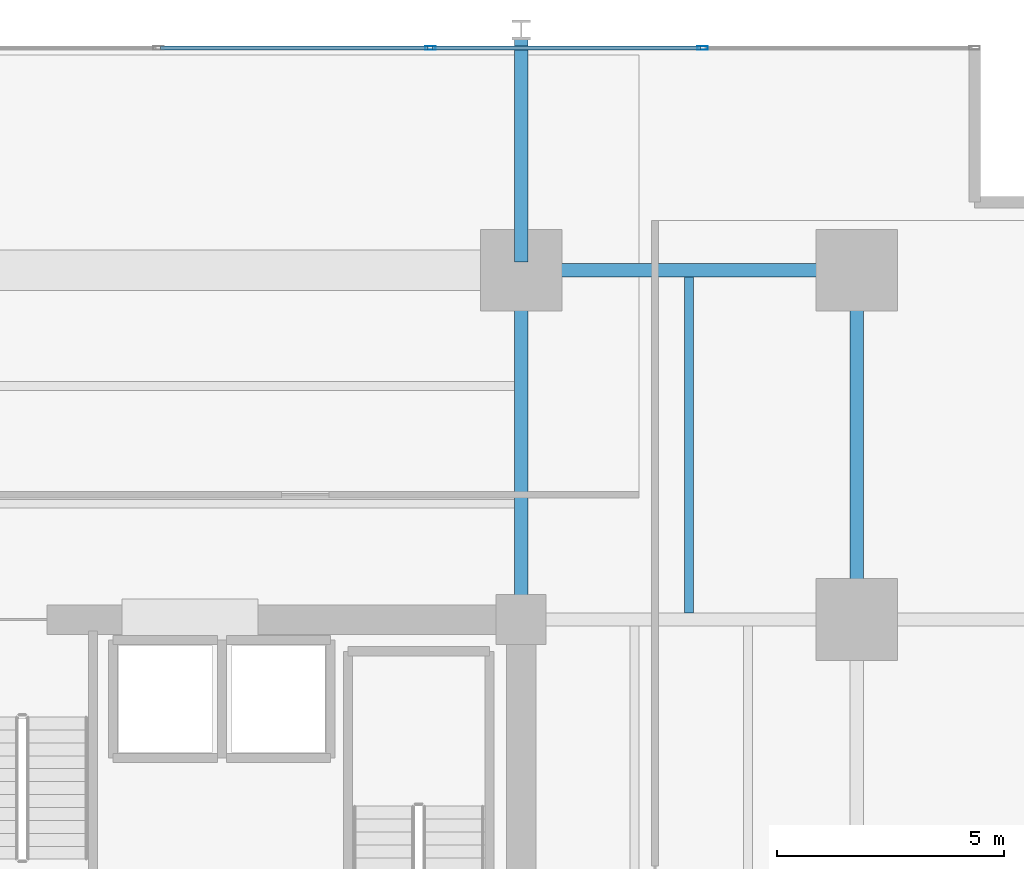
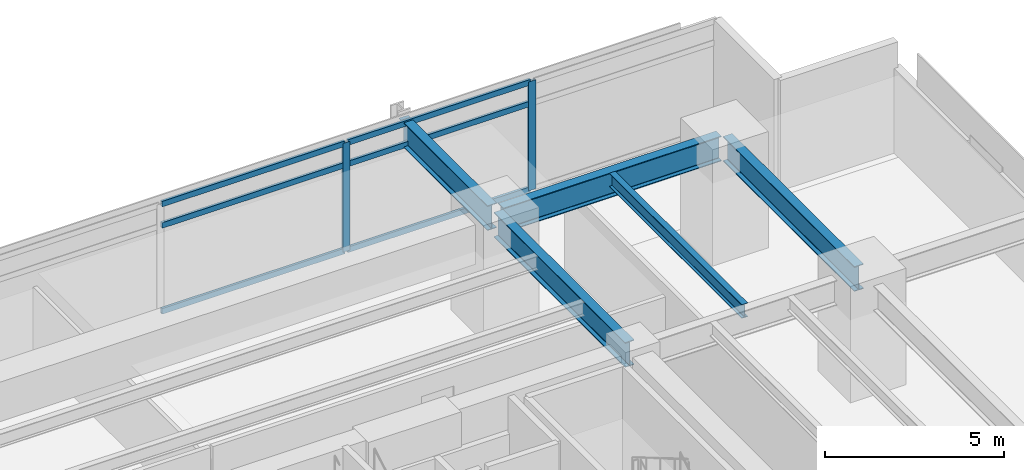
# One storey, part 11 of 21: 8 members, 5 beams, 1 element without a shape of its own.
"""IFC4 building model written with IfcOpenShell, lengths in metres."""

from ifc_helpers import new_model, si_unit, direction, frame, origin, origin_2d, place, context, subcontext, project, spatial, hollow_rectangle, i_section, extrude, material, material_profile, profile_set, type_object, element, aggregate, save


model = new_model("IFC4")

# Units and contexts
model_context = context("Model", 3, precision=1e-05, world=origin(), true_north=direction((0.0, 1.0)))
body_context = subcontext(model_context, "Body", "Model", "MODEL_VIEW")
ifc_project = project(units=[si_unit("LENGTHUNIT", "METRE"), si_unit("AREAUNIT", "SQUARE_METRE"), si_unit("VOLUMEUNIT", "CUBIC_METRE"), si_unit("PLANEANGLEUNIT", "RADIAN"), si_unit("MASSUNIT", "GRAM", prefix="KILO")], contexts=[model_context])

# Site, building, storey
site_placement = place(None, origin())
site = spatial("IfcSite", under=ifc_project, at=site_placement, CompositionType="ELEMENT")
building_placement = place(site_placement, origin())
building = spatial("IfcBuilding", under=site, at=building_placement, Name="Kovane Verandah Tower", CompositionType="ELEMENT")
storey_placement = place(building_placement, frame((0.0, 0.0, 27.60009765625)))
storey = spatial("IfcBuildingStorey", under=building, at=storey_placement, Name="L05", CompositionType="ELEMENT", Elevation=27.60009765625)

# Beams
ifc_material_1 = material(Name="Steel S355", Category="steel")
ifc_material_profile_1 = material_profile(ifc_material_1, i_section(OverallWidth=0.293701171875, OverallDepth=0.850830078125, WebThickness=0.01611328125, FlangeThickness=0.02685546875, FilletRadius=0.017822265625, at=origin_2d()), Name="UB838x292x226")
ifc_profile_set_1 = profile_set([ifc_material_profile_1], Name="Steel S355")
beam_type_1 = type_object("IfcBeamType", Name="BM-UB838x226", PredefinedType="BEAM", material=ifc_profile_set_1)
beam_1_placement = place(storey_placement, frame((51.179931640625, 44.199951171875, 3.33447265625), z_axis=(1.0, 0.0, 0.0), x_axis=(0.0, 1.0, 0.0)))
element("IfcBeam", 1, at=beam_1_placement, inside=storey, type_object=beam_type_1, Name="L05 Primary Tower Girder G-RN3", PredefinedType="BEAM", context=body_context, shape_type="SweptSolid", body=[
    extrude(i_section(OverallWidth=0.293701171875, OverallDepth=0.850830078125, WebThickness=0.01611328125, FlangeThickness=0.02685546875, FilletRadius=0.017822265625, at=origin_2d()), origin(), (0.0, 0.0, 1.0), 7.0400390625),
])
for number, where, z_axis, x_axis, name in (
    (2, (58.39990234375, 36.679931640625, 3.33447265625), (0.0, 1.0, 0.0), (-1.0, 0.0, 0.0), "L05 Primary Tower Girder G-RE3"),
    (3, (51.0, 36.679931640625, 3.33447265625), (0.0, 1.0, 0.0), (-1.0, 0.0, 0.0), "L05 Primary Tower Girder G-N2"),
):
    element("IfcBeam", number, at=place(storey_placement, frame(where, z_axis=z_axis, x_axis=x_axis)), inside=storey, type_object=beam_type_1, Name=name, PredefinedType="BEAM", context=body_context, shape_type="SweptSolid", body=[
        extrude(i_section(OverallWidth=0.293701171875, OverallDepth=0.850830078125, WebThickness=0.01611328125, FlangeThickness=0.02685546875, FilletRadius=0.017822265625, at=origin_2d()), origin(), (0.0, 0.0, 1.0), 7.340087890625),
    ])
beam_2_placement = place(storey_placement, frame((51.0, 44.3798828125, 3.33447265625), z_axis=(0.0, 1.0, 0.0), x_axis=(-1.0, 0.0, 0.0)))
element("IfcBeam", 4, at=beam_2_placement, inside=storey, type_object=beam_type_1, Name="L05 Primary Tower Girder G-VN2", PredefinedType="BEAM", context=body_context, shape_type="SweptSolid", body=[
    extrude(i_section(OverallWidth=0.293701171875, OverallDepth=0.850830078125, WebThickness=0.01611328125, FlangeThickness=0.02685546875, FilletRadius=0.017822265625, at=origin_2d()), origin(), (0.0, 0.0, 1.0), 4.940185546875),
])

# Curtain wall, members
ifc_material_2 = material(Name="Champagne Anodised Aluminium Frame with Low-E Clear Laminated Glass", Category="aluminium")
curtain_wall_type = type_object("IfcCurtainWallType", Name="CW-SYS-02-LOW", PredefinedType="NOTDEFINED", material=ifc_material_2)
curtain_wall_placement = place(storey_placement, origin())
curtain_wall = element("IfcCurtainWall", 5, at=curtain_wall_placement, inside=storey, type_object=curtain_wall_type, Name="L05 N Unitised Curtain Wall", PredefinedType="NOTDEFINED")
ifc_material_3 = material(Name="Champagne Anodised Aluminium 6063-T6", Category="aluminium")
ifc_material_profile_2 = material_profile(ifc_material_3, hollow_rectangle(XDim=0.0849609375, YDim=0.22998046875, WallThickness=0.00390625, at=origin_2d()), Name="AL85x230x4")
ifc_profile_set_2 = profile_set([ifc_material_profile_2], Name="Champagne Anodised Aluminium 6063-T6")
member_type_1 = type_object("IfcMemberType", Name="CW-MUL-85x230", PredefinedType="MULLION", material=ifc_profile_set_2)
member_1_placement = place(storey_placement, frame((55.0, 49.10009765625, 0.02001953125), z_axis=(0.0, 0.0, 1.0), x_axis=(0.0, 1.0, 0.0)))
member_1 = element("IfcMember", 6, at=member_1_placement, type_object=member_type_1, Name="L05 N Unitised Curtain Wall Mullion 2", PredefinedType="MULLION", context=body_context, shape_type="SweptSolid", body=[
    extrude(hollow_rectangle(XDim=0.0849609375, YDim=0.22998046875, WallThickness=0.00390625, at=origin_2d()), origin(), (0.0, 0.0, 1.0), 3.719970703125),
])
member_2_placement = place(storey_placement, frame((49.0, 49.10009765625, 0.02001953125), z_axis=(0.0, 0.0, 1.0), x_axis=(0.0, 1.0, 0.0)))
member_2 = element("IfcMember", 7, at=member_2_placement, type_object=member_type_1, Name="L05 N Unitised Curtain Wall Mullion 3", PredefinedType="MULLION", context=body_context, shape_type="SweptSolid", body=[
    extrude(hollow_rectangle(XDim=0.0849609375, YDim=0.22998046875, WallThickness=0.00390625, at=origin_2d()), origin(), (0.0, 0.0, 1.0), 3.719970703125),
])
ifc_material_profile_3 = material_profile(ifc_material_3, hollow_rectangle(XDim=0.0849609375, YDim=0.18994140625, WallThickness=0.00390625, at=origin_2d()), Name="AL85x190x4")
ifc_profile_set_3 = profile_set([ifc_material_profile_3], Name="Champagne Anodised Aluminium 6063-T6")
member_type_2 = type_object("IfcMemberType", Name="CW-TRN-85x190", PredefinedType="USERDEFINED", material=ifc_profile_set_3)
member_3_placement = place(storey_placement, frame((54.949951171875, 49.10009765625, 0.0498046875), z_axis=(-1.0, 0.0, 0.0), x_axis=(0.0, -1.0, 0.0)))
member_3 = element("IfcMember", 8, at=member_3_placement, type_object=member_type_2, Name="L05 N Unitised Curtain Wall Transom TB Bay 2", ObjectType="TRANSOM", PredefinedType="USERDEFINED", context=body_context, shape_type="SweptSolid", body=[
    extrude(hollow_rectangle(XDim=0.0849609375, YDim=0.18994140625, WallThickness=0.00390625, at=origin_2d()), origin(), (0.0, 0.0, 1.0), 5.89990234375),
])
member_4_placement = place(storey_placement, frame((54.949951171875, 49.10009765625, 2.97998046875), z_axis=(-1.0, 0.0, 0.0), x_axis=(0.0, -1.0, 0.0)))
member_4 = element("IfcMember", 9, at=member_4_placement, type_object=member_type_2, Name="L05 N Unitised Curtain Wall Transom TM Bay 2", ObjectType="TRANSOM", PredefinedType="USERDEFINED", context=body_context, shape_type="SweptSolid", body=[
    extrude(hollow_rectangle(XDim=0.0849609375, YDim=0.18994140625, WallThickness=0.00390625, at=origin_2d()), origin(), (0.0, 0.0, 1.0), 5.89990234375),
])
member_5_placement = place(storey_placement, frame((54.949951171875, 49.10009765625, 3.7099609375), z_axis=(-1.0, 0.0, 0.0), x_axis=(0.0, -1.0, 0.0)))
member_5 = element("IfcMember", 10, at=member_5_placement, type_object=member_type_2, Name="L05 N Unitised Curtain Wall Transom TT Bay 2", ObjectType="TRANSOM", PredefinedType="USERDEFINED", context=body_context, shape_type="SweptSolid", body=[
    extrude(hollow_rectangle(XDim=0.0849609375, YDim=0.18994140625, WallThickness=0.00390625, at=origin_2d()), origin(), (0.0, 0.0, 1.0), 5.89990234375),
])
member_6_placement = place(storey_placement, frame((48.949951171875, 49.10009765625, 0.0498046875), z_axis=(-1.0, 0.0, 0.0), x_axis=(0.0, -1.0, 0.0)))
member_6 = element("IfcMember", 11, at=member_6_placement, type_object=member_type_2, Name="L05 N Unitised Curtain Wall Transom TB Bay 3", ObjectType="TRANSOM", PredefinedType="USERDEFINED", context=body_context, shape_type="SweptSolid", body=[
    extrude(hollow_rectangle(XDim=0.0849609375, YDim=0.18994140625, WallThickness=0.00390625, at=origin_2d()), origin(), (0.0, 0.0, 1.0), 5.89990234375),
])
member_7_placement = place(storey_placement, frame((48.949951171875, 49.10009765625, 2.97998046875), z_axis=(-1.0, 0.0, 0.0), x_axis=(0.0, -1.0, 0.0)))
member_7 = element("IfcMember", 12, at=member_7_placement, type_object=member_type_2, Name="L05 N Unitised Curtain Wall Transom TM Bay 3", ObjectType="TRANSOM", PredefinedType="USERDEFINED", context=body_context, shape_type="SweptSolid", body=[
    extrude(hollow_rectangle(XDim=0.0849609375, YDim=0.18994140625, WallThickness=0.00390625, at=origin_2d()), origin(), (0.0, 0.0, 1.0), 5.89990234375),
])
member_8_placement = place(storey_placement, frame((48.949951171875, 49.10009765625, 3.7099609375), z_axis=(-1.0, 0.0, 0.0), x_axis=(0.0, -1.0, 0.0)))
member_8 = element("IfcMember", 13, at=member_8_placement, type_object=member_type_2, Name="L05 N Unitised Curtain Wall Transom TT Bay 3", ObjectType="TRANSOM", PredefinedType="USERDEFINED", context=body_context, shape_type="SweptSolid", body=[
    extrude(hollow_rectangle(XDim=0.0849609375, YDim=0.18994140625, WallThickness=0.00390625, at=origin_2d()), origin(), (0.0, 0.0, 1.0), 5.89990234375),
])
aggregate(curtain_wall, [member_1, member_2, member_3, member_4, member_5, member_6, member_7, member_8])

# Beam
ifc_material_profile_4 = material_profile(ifc_material_1, i_section(OverallWidth=0.19287109375, OverallDepth=0.46728515625, WebThickness=0.011474609375, FlangeThickness=0.01953125, FilletRadius=0.01025390625, at=origin_2d()), Name="UB457x191x98")
ifc_profile_set_4 = profile_set([ifc_material_profile_4], Name="Steel S355")
beam_type_2 = type_object("IfcBeamType", Name="JST-UB457x98", PredefinedType="JOIST", material=ifc_profile_set_4)
beam_3_placement = place(storey_placement, frame((54.699951171875, 36.64501953125, 3.5263671875), z_axis=(0.0, 1.0, 0.0), x_axis=(-1.0, 0.0, 0.0)))
element("IfcBeam", 14, at=beam_3_placement, inside=storey, type_object=beam_type_2, Name="L05 Secondary Composite Joist J-NE1", PredefinedType="JOIST", context=body_context, shape_type="SweptSolid", body=[
    extrude(i_section(OverallWidth=0.19287109375, OverallDepth=0.46728515625, WebThickness=0.011474609375, FlangeThickness=0.01953125, FilletRadius=0.01025390625, at=origin_2d()), origin(), (0.0, 0.0, 1.0), 7.41015625),
])

save(model, "model.ifc")
